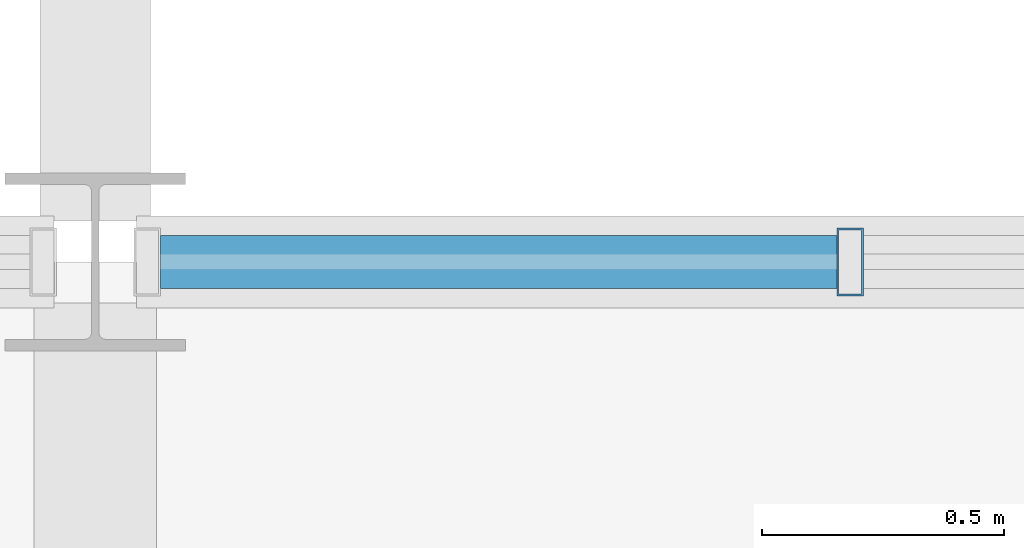
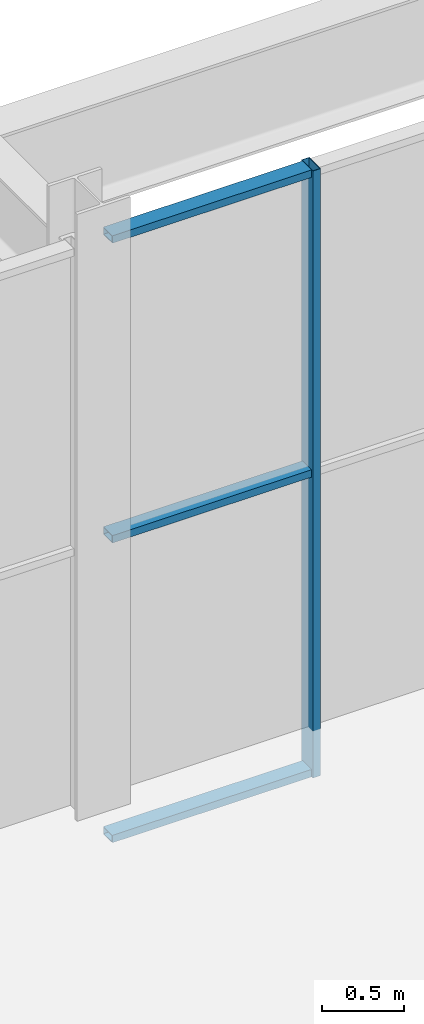
# One storey, part 196 of 324: 4 members, 1 element without a shape of its own.
"""IFC4 building model written with IfcOpenShell, lengths in metres."""

from ifc_helpers import new_model, si_unit, direction, frame, origin, origin_2d, place, context, subcontext, project, spatial, hollow_rectangle, extrude, material, layer, layer_set, material_profile, profile_set, type_object, element, aggregate, save


model = new_model("IFC4")

# Units and contexts
model_context = context("Model", 3, precision=1e-05, world=origin(), true_north=direction((0.0, 1.0)))
body_context = subcontext(model_context, "Body", "Model", "MODEL_VIEW")
ifc_project = project(units=[si_unit("LENGTHUNIT", "METRE"), si_unit("AREAUNIT", "SQUARE_METRE"), si_unit("VOLUMEUNIT", "CUBIC_METRE"), si_unit("PLANEANGLEUNIT", "RADIAN"), si_unit("MASSUNIT", "GRAM", prefix="KILO")], contexts=[model_context])

# Site, building, storey
site_placement = place(None, origin())
site = spatial("IfcSite", under=ifc_project, at=site_placement, CompositionType="ELEMENT")
building_placement = place(site_placement, origin())
building = spatial("IfcBuilding", under=site, at=building_placement, Name="Solvenia Promenade Tram Depot", CompositionType="ELEMENT")
storey_placement = place(building_placement, frame((0.0, 0.0, 4.5)))
storey = spatial("IfcBuildingStorey", under=building, at=storey_placement, Name="L01", CompositionType="ELEMENT", Elevation=4.5)

# Curtain wall, members
ifc_material = material(Name="Anodized aluminium AW-6063 T6", Category="aluminium")
ifc_layer = layer(ifc_material, 0.080078125, Name="Anodized aluminium AW-6063 T6", Category="aluminium")
ifc_layer_set = layer_set([ifc_layer], Name="Anodized aluminium AW-6063 T6")
curtain_wall_type = type_object("IfcCurtainWallType", Name="CW-Clerest-1500", PredefinedType="NOTDEFINED", material=ifc_layer_set)
curtain_wall_placement = place(storey_placement, origin())
curtain_wall = element("IfcCurtainWall", 1, at=curtain_wall_placement, inside=storey, type_object=curtain_wall_type, Name="Curtain Wall CW-V2S-L1-09", PredefinedType="NOTDEFINED")
ifc_material_profile_1 = material_profile(ifc_material, hollow_rectangle(XDim=0.139892578125, YDim=0.054931640625, WallThickness=0.00390625, at=origin_2d()), Name="ALU-M4", Category="aluminium")
ifc_profile_set_1 = profile_set([ifc_material_profile_1], Name="Anodized aluminium AW-6063 T6")
member_type_1 = type_object("IfcMemberType", Name="CWM-Mullion-4", PredefinedType="MULLION", material=ifc_profile_set_1)
member_1_placement = place(storey_placement, frame((175.56005859375, 24.0, -0.35009765625), z_axis=(0.0, 0.0, 1.0), x_axis=(0.0, 1.0, 0.0)))
member_1 = element("IfcMember", 2, at=member_1_placement, type_object=member_type_1, Name="CW-4 mullion 2", PredefinedType="MULLION", context=body_context, shape_type="SweptSolid", body=[
    extrude(hollow_rectangle(XDim=0.139892578125, YDim=0.054931640625, WallThickness=0.00390625, at=origin_2d()), origin(), (0.0, 0.0, 1.0), 4.5),
])
ifc_material_profile_2 = material_profile(ifc_material, hollow_rectangle(XDim=0.110107421875, YDim=0.054931640625, WallThickness=0.00390625, at=origin_2d()), Name="ALU-T4", Category="aluminium")
ifc_profile_set_2 = profile_set([ifc_material_profile_2], Name="Anodized aluminium AW-6063 T6")
member_type_2 = type_object("IfcMemberType", Name="CWT-Transom-4", PredefinedType="USERDEFINED", material=ifc_profile_set_2)
member_2_placement = place(storey_placement, frame((174.135009765625, 24.0, -0.322509765625), z_axis=(1.0, 0.0, 0.0), x_axis=(0.0, 1.0, 0.0)))
member_2 = element("IfcMember", 3, at=member_2_placement, type_object=member_type_2, Name="CW-4 transom 1.1", ObjectType="TRANSOM", PredefinedType="USERDEFINED", context=body_context, shape_type="SweptSolid", body=[
    extrude(hollow_rectangle(XDim=0.110107421875, YDim=0.054931640625, WallThickness=0.00390625, at=origin_2d()), origin(), (0.0, 0.0, 1.0), 1.3974609375),
])
member_3_placement = place(storey_placement, frame((174.135009765625, 24.0, 1.89990234375), z_axis=(1.0, 0.0, 0.0), x_axis=(0.0, 1.0, 0.0)))
member_3 = element("IfcMember", 4, at=member_3_placement, type_object=member_type_2, Name="CW-4 transom 1.2", ObjectType="TRANSOM", PredefinedType="USERDEFINED", context=body_context, shape_type="SweptSolid", body=[
    extrude(hollow_rectangle(XDim=0.110107421875, YDim=0.054931640625, WallThickness=0.00390625, at=origin_2d()), origin(), (0.0, 0.0, 1.0), 1.3974609375),
])
member_4_placement = place(storey_placement, frame((174.135009765625, 24.0, 4.12255859375), z_axis=(1.0, 0.0, 0.0), x_axis=(0.0, 1.0, 0.0)))
member_4 = element("IfcMember", 5, at=member_4_placement, type_object=member_type_2, Name="CW-4 transom 1.3", ObjectType="TRANSOM", PredefinedType="USERDEFINED", context=body_context, shape_type="SweptSolid", body=[
    extrude(hollow_rectangle(XDim=0.110107421875, YDim=0.054931640625, WallThickness=0.00390625, at=origin_2d()), origin(), (0.0, 0.0, 1.0), 1.3974609375),
])
aggregate(curtain_wall, [member_1, member_2, member_3, member_4])

save(model, "model.ifc")
